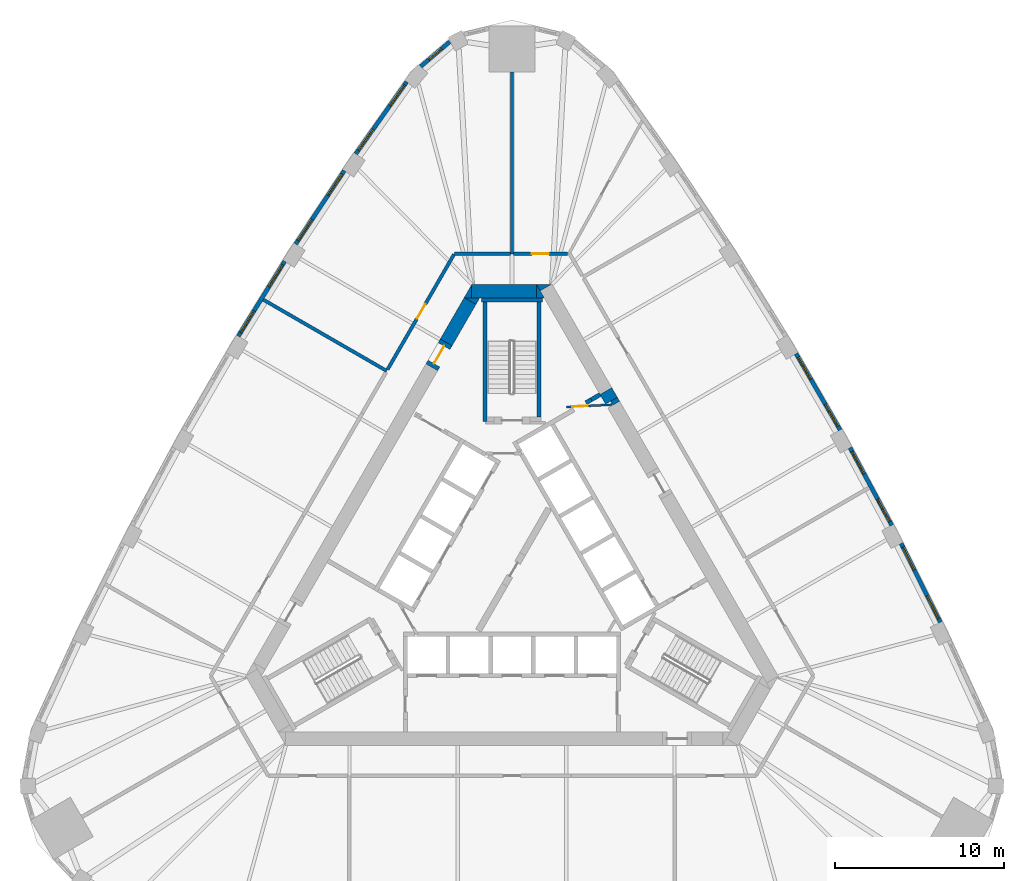
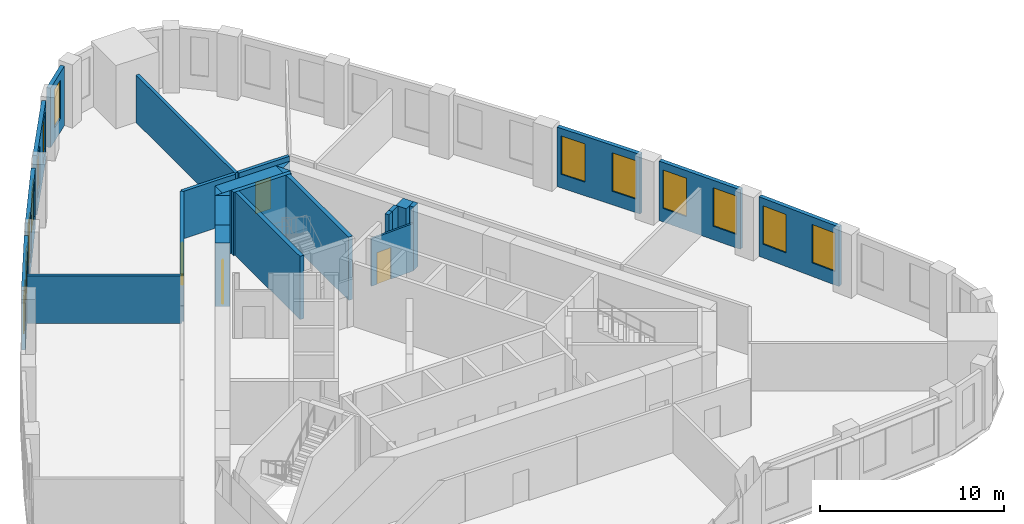
# One storey, part 7 of 9: 27 walls, 13 windows, 4 doors, 17 openings.
"""IFC4 building model written with IfcOpenShell, lengths in metres."""

from ifc_helpers import new_model, si_unit, direction, frame, frame_2d, origin, place, context, subcontext, project, spatial, polyline, rectangle, outline, extrude, material, layer, layer_set, type_object, element, fill, save


model = new_model("IFC4")

# Units and contexts
model_context = context("Model", 3, precision=1e-05, world=origin(), true_north=direction((0.0, 1.0)))
body_context = subcontext(model_context, "Body", "Model", "MODEL_VIEW")
ifc_project = project(units=[si_unit("LENGTHUNIT", "METRE"), si_unit("AREAUNIT", "SQUARE_METRE"), si_unit("VOLUMEUNIT", "CUBIC_METRE"), si_unit("PLANEANGLEUNIT", "RADIAN"), si_unit("MASSUNIT", "GRAM", prefix="KILO")], contexts=[model_context])

# Site, building, storey
site_placement = place(None, origin())
site = spatial("IfcSite", under=ifc_project, at=site_placement, CompositionType="ELEMENT")
building_placement = place(site_placement, origin())
building = spatial("IfcBuilding", under=site, at=building_placement, Name="Mestral Congress Tower", CompositionType="ELEMENT")
storey_placement = place(building_placement, frame((0.0, 0.0, 187.800048828125)))
storey = spatial("IfcBuildingStorey", under=building, at=storey_placement, Name="L44", CompositionType="ELEMENT", Elevation=187.800048828125)

# Wall, opening, door
ifc_material_1 = material(Name="Fire-rated board partition")
ifc_layer_1 = layer(ifc_material_1, 0.1201171875)
ifc_layer_set_1 = layer_set([ifc_layer_1], Name="Fire-rated board partition")
wall_type_1 = type_object("IfcWallType", Name="Core partition 150 door-wall 120", PredefinedType="PARTITIONING", material=ifc_layer_set_1)
wall_1_placement = place(storey_placement, frame((5.917236328125, 9.684326171875, 0.0), z_axis=(0.0, 0.0, 1.0), x_axis=(-0.998758194515, -0.049820366212, 0.0)))
wall_1 = element("IfcWall", 1, at=wall_1_placement, inside=storey, type_object=wall_type_1, Name="L44 door wall", PredefinedType="PARTITIONING", context=body_context, shape_type="SweptSolid", body=[
    extrude(rectangle(XDim=2.7001953125, YDim=0.119873046875, at=frame_2d((1.35009765625, 0.0))), origin(), (0.0, 0.0, 1.0), 3.14990234375),
])
opening_1_placement = place(wall_1_placement, frame((1.449951171875, 0.0, 0.0)))
opening_1 = element("IfcOpeningElement", 2, at=opening_1_placement, cuts=wall_1, Name="Opening TD2", PredefinedType="OPENING", context=body_context, shape_type="SweptSolid", body=[
    extrude(rectangle(XDim=0.89990234375, YDim=2.10009765625, at=frame_2d((0.449951171875, 1.050048828125))), frame((0.0, 0.06982421875, 0.0), z_axis=(0.0, -1.0, 0.0), x_axis=(1.0, 0.0, 0.0)), (0.0, 0.0, 1.0), 0.139892578125),
])
ifc_material_2 = material(Name="Fire-rated steel door set", Category="steel")
door_type_1 = type_object("IfcDoorType", Name="Core door SR 900x2100", OperationType="SINGLE_SWING_LEFT", PredefinedType="DOOR", material=ifc_material_2)
door_1_placement = place(opening_1_placement, origin())
door_1 = element("IfcDoor", 3, at=door_1_placement, inside=storey, type_object=door_type_1, Name="Door TD2", OperationType="SINGLE_SWING_LEFT", OverallHeight=2.10009765625, OverallWidth=0.89990234375, PredefinedType="DOOR", context=body_context, shape_type="SweptSolid", body=[
    extrude(rectangle(XDim=0.89990234375, YDim=2.10009765625, at=frame_2d((0.449951171875, 1.050048828125))), frame((0.0, 0.02490234375, 0.0), z_axis=(0.0, -1.0, 0.0), x_axis=(1.0, 0.0, 0.0)), (0.0, 0.0, 1.0), 0.050048828125),
])
fill(opening_1, door_1)

# Walls
ifc_material_3 = material(Name="Concrete C60/75", Category="concrete")
ifc_layer_2 = layer(ifc_material_3, 0.800048828125)
ifc_layer_set_2 = layer_set([ifc_layer_2], Name="Concrete C60/75")
wall_type_2 = type_object("IfcWallType", Name="Core wall RC 800", PredefinedType="SOLIDWALL", material=ifc_layer_set_2)
wall_2_placement = place(storey_placement, frame((5.87841796875, 9.918212890625, 0.0), z_axis=(0.0, 0.0, 1.0), x_axis=(-0.499893918903, 0.866086641072, 0.0)))
element("IfcWall", 4, at=wall_2_placement, inside=storey, type_object=wall_type_2, Name="L44 core wall", PredefinedType="SOLIDWALL", context=body_context, shape_type="SweptSolid", body=[
    extrude(rectangle(XDim=0.657470703125, YDim=0.800048828125, at=frame_2d((0.32861328125, 0.0))), origin(), (0.0, 0.0, 1.0), 4.199951171875),
])
placement = place(storey_placement, origin())
element("IfcWall", 5, at=placement, inside=storey, type_object=wall_type_2, Name="L44 core wall", PredefinedType="SOLIDWALL", context=body_context, shape_type="SweptSolid", body=[
    extrude(outline(polyline([(5.961181640625, 9.654052734375), (5.8271484375, 9.88623046875), (6.225830078125, 10.116455078125), (6.35986328125, 9.88427734375), (5.961181640625, 9.654052734375)])), origin(), (0.0, 0.0, 1.0), 4.199951171875),
])
element("IfcWall", 6, at=placement, inside=storey, type_object=wall_type_2, Name="L44 core wall", PredefinedType="SOLIDWALL", context=body_context, shape_type="SweptSolid", body=[
    extrude(outline(polyline([(1.443359375, 16.800048828125), (2.33935546875, 16.800048828125), (1.667236328125, 16.412109375), (1.443359375, 16.800048828125)])), origin(), (0.0, 0.0, 1.0), 4.199951171875),
])
wall_5_placement = place(storey_placement, frame((-2.37890625, 16.39990234375, 0.0), z_axis=(0.0, 0.0, 1.0), x_axis=(1.0, 0.0, 0.0)))
element("IfcWall", 7, at=wall_5_placement, inside=storey, type_object=wall_type_2, Name="L44 core wall", PredefinedType="SOLIDWALL", context=body_context, shape_type="SweptSolid", body=[
    extrude(rectangle(XDim=3.82421875, YDim=0.800048828125, at=frame_2d((1.912109375, 0.0))), origin(), (0.0, 0.0, 1.0), 4.199951171875),
])
element("IfcWall", 8, at=placement, inside=storey, type_object=wall_type_2, Name="L44 core wall", PredefinedType="SOLIDWALL", context=body_context, shape_type="SweptSolid", body=[
    extrude(outline(polyline([(1.9052734375, 16.0), (1.447265625, 16.0), (1.447265625, 16.793212890625), (1.9052734375, 16.0)])), origin(), (0.0, 0.0, 1.0), 4.199951171875),
])
element("IfcWall", 9, at=placement, inside=storey, type_object=wall_type_2, Name="L44 core wall", PredefinedType="SOLIDWALL", context=body_context, shape_type="SweptSolid", body=[
    extrude(outline(polyline([(-2.8291015625, 16.0), (-2.381103515625, 16.77587890625), (-2.381103515625, 16.0), (-2.8291015625, 16.0)])), origin(), (0.0, 0.0, 1.0), 4.199951171875),
])
wall_8_placement = place(storey_placement, frame((-2.476806640625, 15.810302734375, 0.0), z_axis=(0.0, 0.0, 1.0), x_axis=(-0.499969377405, -0.866043083026, 0.0)))
element("IfcWall", 10, at=wall_8_placement, inside=storey, type_object=wall_type_2, Name="L44 core wall", PredefinedType="SOLIDWALL", context=body_context, shape_type="SweptSolid", body=[
    extrude(rectangle(XDim=2.824462890625, YDim=0.800048828125, at=frame_2d((1.412109375, 0.0))), origin(), (0.0, 0.0, 1.0), 4.199951171875),
])
element("IfcWall", 11, at=placement, inside=storey, type_object=wall_type_2, Name="L44 core wall", PredefinedType="SOLIDWALL", context=body_context, shape_type="SweptSolid", body=[
    extrude(outline(polyline([(-1.9052734375, 16.0), (-2.12939453125, 15.612060546875), (-2.80126953125, 16.0), (-1.9052734375, 16.0)])), origin(), (0.0, 0.0, 1.0), 4.199951171875),
])

# Wall, opening, door
wall_10_placement = place(storey_placement, frame((-4.739013671875, 11.89208984375, 0.0), z_axis=(0.0, 0.0, 1.0), x_axis=(0.500062241894, 0.865989465428, 0.0)))
wall_10 = element("IfcWall", 12, at=wall_10_placement, inside=storey, type_object=wall_type_2, Name="L44 door wall", PredefinedType="SOLIDWALL", context=body_context, shape_type="SweptSolid", body=[
    extrude(rectangle(XDim=1.699951171875, YDim=0.800048828125, at=frame_2d((0.85009765625, 0.0))), origin(), (0.0, 0.0, 1.0), 4.199951171875),
])
opening_2_placement = place(wall_10_placement, frame((0.25, 0.0, 0.0)))
opening_2 = element("IfcOpeningElement", 13, at=opening_2_placement, cuts=wall_10, Name="Opening XD2", PredefinedType="OPENING", context=body_context, shape_type="SweptSolid", body=[
    extrude(rectangle(XDim=1.199951171875, YDim=2.10009765625, at=frame_2d((0.60009765625, 1.050048828125))), frame((0.0, 0.409912109375, 0.0), z_axis=(0.0, -1.0, 0.0), x_axis=(1.0, 0.0, 0.0)), (0.0, 0.0, 1.0), 0.820068359375),
])
door_type_2 = type_object("IfcDoorType", Name="Core door XD 1200x2100", OperationType="SINGLE_SWING_LEFT", PredefinedType="DOOR", material=ifc_material_2)
door_2_placement = place(opening_2_placement, origin())
door_2 = element("IfcDoor", 14, at=door_2_placement, inside=storey, type_object=door_type_2, Name="Door XD2", OperationType="SINGLE_SWING_LEFT", OverallHeight=2.10009765625, OverallWidth=1.199951171875, PredefinedType="DOOR", context=body_context, shape_type="SweptSolid", body=[
    extrude(rectangle(XDim=1.199951171875, YDim=2.10009765625, at=frame_2d((0.60009765625, 1.050048828125))), frame((0.0, 0.02490234375, 0.0), z_axis=(0.0, -1.0, 0.0), x_axis=(1.0, 0.0, 0.0)), (0.0, 0.0, 1.0), 0.050048828125),
])
fill(opening_2, door_2)

# Wall, openings, windows
ifc_material_4 = material(Name="Precast concrete C40/50 with limestone facing", Category="masonry")
ifc_layer_3 = layer(ifc_material_4, 0.239990234375)
ifc_layer_set_3 = layer_set([ifc_layer_3], Name="Precast concrete C40/50 with limestone facing")
wall_type_3 = type_object("IfcWallType", Name="Facade stone wall 240", PredefinedType="SOLIDWALL", material=ifc_layer_set_3)
wall_11_placement = place(storey_placement, frame((25.31591796875, -3.17138671875, 0.0), z_axis=(0.0, 0.0, 1.0), x_axis=(-0.446256171312, 0.8949052629, 0.0)))
wall_11 = element("IfcWall", 15, at=wall_11_placement, inside=storey, type_object=wall_type_3, Name="Facade wall F1-01", PredefinedType="SOLIDWALL", context=body_context, shape_type="SweptSolid", body=[
    extrude(rectangle(XDim=5.203369140625, YDim=0.239990234375, at=frame_2d((2.6015625, 0.0))), origin(), (0.0, 0.0, 1.0), 3.949951171875),
])
opening_3_placement = place(wall_11_placement, frame((0.248291015625, 0.0, 0.89990234375)))
opening_3 = element("IfcOpeningElement", 16, at=opening_3_placement, cuts=wall_11, Name="Opening W4", PredefinedType="OPENING", context=body_context, shape_type="SweptSolid", body=[
    extrude(rectangle(XDim=1.5, YDim=2.550048828125, at=frame_2d((0.75, 1.27490234375))), frame((0.0, 0.1298828125, 0.0), z_axis=(0.0, -1.0, 0.0), x_axis=(1.0, 0.0, 0.0)), (0.0, 0.0, 1.0), 0.260009765625),
])
opening_4_placement = place(wall_11_placement, frame((3.455078125, 0.0, 0.89990234375)))
opening_4 = element("IfcOpeningElement", 17, at=opening_4_placement, cuts=wall_11, Name="Opening W4", PredefinedType="OPENING", context=body_context, shape_type="SweptSolid", body=[
    extrude(rectangle(XDim=1.5, YDim=2.550048828125, at=frame_2d((0.75, 1.27490234375))), frame((0.0, 0.1298828125, 0.0), z_axis=(0.0, -1.0, 0.0), x_axis=(1.0, 0.0, 0.0)), (0.0, 0.0, 1.0), 0.260009765625),
])
ifc_material_5 = material(Name="Clear low-emissivity double glazing", Category="glass")
window_type_1 = type_object("IfcWindowType", Name="Facade punched window 1500 x 2550 sill 900", PartitioningType="SINGLE_PANEL", PredefinedType="WINDOW", material=ifc_material_5)
window_1_placement = place(opening_3_placement, origin())
window_1 = element("IfcWindow", 18, at=window_1_placement, inside=storey, type_object=window_type_1, Name="Window F1-01a", OverallHeight=2.550048828125, OverallWidth=1.5, PartitioningType="SINGLE_PANEL", PredefinedType="WINDOW", context=body_context, shape_type="SweptSolid", body=[
    extrude(rectangle(XDim=1.5, YDim=2.550048828125, at=frame_2d((0.75, 1.27490234375))), frame((0.0, 0.0400390625, 0.0), z_axis=(0.0, -1.0, 0.0), x_axis=(1.0, 0.0, 0.0)), (0.0, 0.0, 1.0), 0.06005859375),
])
fill(opening_3, window_1)
window_2_placement = place(opening_4_placement, origin())
window_2 = element("IfcWindow", 19, at=window_2_placement, inside=storey, type_object=window_type_1, Name="Window F1-01b", OverallHeight=2.550048828125, OverallWidth=1.5, PartitioningType="SINGLE_PANEL", PredefinedType="WINDOW", context=body_context, shape_type="SweptSolid", body=[
    extrude(rectangle(XDim=1.5, YDim=2.550048828125, at=frame_2d((0.75, 1.27490234375))), frame((0.0, 0.0400390625, 0.0), z_axis=(0.0, -1.0, 0.0), x_axis=(1.0, 0.0, 0.0)), (0.0, 0.0, 1.0), 0.06005859375),
])
fill(opening_4, window_2)

wall_12_placement = place(storey_placement, frame((22.43994140625, 2.554931640625, 0.0), z_axis=(0.0, 0.0, 1.0), x_axis=(-0.473349833294, 0.880874528704, 0.0)))
wall_12 = element("IfcWall", 20, at=wall_12_placement, inside=storey, type_object=wall_type_3, Name="Facade wall F1-02", PredefinedType="SOLIDWALL", context=body_context, shape_type="SweptSolid", body=[
    extrude(rectangle(XDim=5.20361328125, YDim=0.239990234375, at=frame_2d((2.601806640625, 0.0))), origin(), (0.0, 0.0, 1.0), 3.949951171875),
])
opening_5_placement = place(wall_12_placement, frame((0.248291015625, 0.0, 0.89990234375)))
opening_5 = element("IfcOpeningElement", 21, at=opening_5_placement, cuts=wall_12, Name="Opening W4", PredefinedType="OPENING", context=body_context, shape_type="SweptSolid", body=[
    extrude(rectangle(XDim=1.5, YDim=2.550048828125, at=frame_2d((0.75, 1.27490234375))), frame((0.0, 0.1298828125, 0.0), z_axis=(0.0, -1.0, 0.0), x_axis=(1.0, 0.0, 0.0)), (0.0, 0.0, 1.0), 0.260009765625),
])
opening_6_placement = place(wall_12_placement, frame((3.455078125, 0.0, 0.89990234375)))
opening_6 = element("IfcOpeningElement", 22, at=opening_6_placement, cuts=wall_12, Name="Opening W4", PredefinedType="OPENING", context=body_context, shape_type="SweptSolid", body=[
    extrude(rectangle(XDim=1.5, YDim=2.550048828125, at=frame_2d((0.75, 1.27490234375))), frame((0.0, 0.1298828125, 0.0), z_axis=(0.0, -1.0, 0.0), x_axis=(1.0, 0.0, 0.0)), (0.0, 0.0, 1.0), 0.260009765625),
])
window_3_placement = place(opening_5_placement, origin())
window_3 = element("IfcWindow", 23, at=window_3_placement, inside=storey, type_object=window_type_1, Name="Window F1-02a", OverallHeight=2.550048828125, OverallWidth=1.5, PartitioningType="SINGLE_PANEL", PredefinedType="WINDOW", context=body_context, shape_type="SweptSolid", body=[
    extrude(rectangle(XDim=1.5, YDim=2.550048828125, at=frame_2d((0.75, 1.27490234375))), frame((0.0, 0.0400390625, 0.0), z_axis=(0.0, -1.0, 0.0), x_axis=(1.0, 0.0, 0.0)), (0.0, 0.0, 1.0), 0.06005859375),
])
fill(opening_5, window_3)
window_4_placement = place(opening_6_placement, origin())
window_4 = element("IfcWindow", 24, at=window_4_placement, inside=storey, type_object=window_type_1, Name="Window F1-02b", OverallHeight=2.550048828125, OverallWidth=1.5, PartitioningType="SINGLE_PANEL", PredefinedType="WINDOW", context=body_context, shape_type="SweptSolid", body=[
    extrude(rectangle(XDim=1.5, YDim=2.550048828125, at=frame_2d((0.75, 1.27490234375))), frame((0.0, 0.0400390625, 0.0), z_axis=(0.0, -1.0, 0.0), x_axis=(1.0, 0.0, 0.0)), (0.0, 0.0, 1.0), 0.06005859375),
])
fill(opening_6, window_4)

wall_13_placement = place(storey_placement, frame((19.390625, 8.19091796875, 0.0), z_axis=(0.0, 0.0, 1.0), x_axis=(-0.500009456303, 0.866019944116, 0.0)))
wall_13 = element("IfcWall", 25, at=wall_13_placement, inside=storey, type_object=wall_type_3, Name="Facade wall F1-03", PredefinedType="SOLIDWALL", context=body_context, shape_type="SweptSolid", body=[
    extrude(rectangle(XDim=5.20361328125, YDim=0.239990234375, at=frame_2d((2.601806640625, 0.0))), origin(), (0.0, 0.0, 1.0), 3.949951171875),
])
opening_7_placement = place(wall_13_placement, frame((0.248291015625, 0.0, 0.89990234375)))
opening_7 = element("IfcOpeningElement", 26, at=opening_7_placement, cuts=wall_13, Name="Opening W4", PredefinedType="OPENING", context=body_context, shape_type="SweptSolid", body=[
    extrude(rectangle(XDim=1.5, YDim=2.550048828125, at=frame_2d((0.75, 1.27490234375))), frame((0.0, 0.1298828125, 0.0), z_axis=(0.0, -1.0, 0.0), x_axis=(1.0, 0.0, 0.0)), (0.0, 0.0, 1.0), 0.260009765625),
])
opening_8_placement = place(wall_13_placement, frame((3.455078125, 0.0, 0.89990234375)))
opening_8 = element("IfcOpeningElement", 27, at=opening_8_placement, cuts=wall_13, Name="Opening W4", PredefinedType="OPENING", context=body_context, shape_type="SweptSolid", body=[
    extrude(rectangle(XDim=1.5, YDim=2.550048828125, at=frame_2d((0.75, 1.27490234375))), frame((0.0, 0.1298828125, 0.0), z_axis=(0.0, -1.0, 0.0), x_axis=(1.0, 0.0, 0.0)), (0.0, 0.0, 1.0), 0.260009765625),
])
window_5_placement = place(opening_7_placement, origin())
window_5 = element("IfcWindow", 28, at=window_5_placement, inside=storey, type_object=window_type_1, Name="Window F1-03a", OverallHeight=2.550048828125, OverallWidth=1.5, PartitioningType="SINGLE_PANEL", PredefinedType="WINDOW", context=body_context, shape_type="SweptSolid", body=[
    extrude(rectangle(XDim=1.5, YDim=2.550048828125, at=frame_2d((0.75, 1.27490234375))), frame((0.0, 0.0400390625, 0.0), z_axis=(0.0, -1.0, 0.0), x_axis=(1.0, 0.0, 0.0)), (0.0, 0.0, 1.0), 0.06005859375),
])
fill(opening_7, window_5)
window_6_placement = place(opening_8_placement, origin())
window_6 = element("IfcWindow", 29, at=window_6_placement, inside=storey, type_object=window_type_1, Name="Window F1-03b", OverallHeight=2.550048828125, OverallWidth=1.5, PartitioningType="SINGLE_PANEL", PredefinedType="WINDOW", context=body_context, shape_type="SweptSolid", body=[
    extrude(rectangle(XDim=1.5, YDim=2.550048828125, at=frame_2d((0.75, 1.27490234375))), frame((0.0, 0.0400390625, 0.0), z_axis=(0.0, -1.0, 0.0), x_axis=(1.0, 0.0, 0.0)), (0.0, 0.0, 1.0), 0.06005859375),
])
fill(opening_8, window_6)

# Wall, opening, window
wall_14_placement = place(storey_placement, frame((-3.67822265625, 31.130859375, 0.0), z_axis=(0.0, 0.0, 1.0), x_axis=(-0.761419744247, -0.648259186645, 0.0)))
wall_14 = element("IfcWall", 30, at=wall_14_placement, inside=storey, type_object=wall_type_3, Name="Facade wall K1-3", PredefinedType="SOLIDWALL", context=body_context, shape_type="SweptSolid", body=[
    extrude(rectangle(XDim=2.250244140625, YDim=0.239990234375, at=frame_2d((1.125, 0.0))), origin(), (0.0, 0.0, 1.0), 3.949951171875),
])
opening_9_placement = place(wall_14_placement, frame((0.625244140625, 0.0, 0.89990234375)))
opening_9 = element("IfcOpeningElement", 31, at=opening_9_placement, cuts=wall_14, Name="Opening W5", PredefinedType="OPENING", context=body_context, shape_type="SweptSolid", body=[
    extrude(rectangle(XDim=1.0, YDim=2.550048828125, at=frame_2d((0.5, 1.27490234375))), frame((0.0, 0.1298828125, 0.0), z_axis=(0.0, -1.0, 0.0), x_axis=(1.0, 0.0, 0.0)), (0.0, 0.0, 1.0), 0.260009765625),
])
window_type_2 = type_object("IfcWindowType", Name="Facade punched window 1000 x 2550 sill 900", PartitioningType="SINGLE_PANEL", PredefinedType="WINDOW", material=ifc_material_5)
window_7_placement = place(opening_9_placement, origin())
window_7 = element("IfcWindow", 32, at=window_7_placement, inside=storey, type_object=window_type_2, Name="Window K1-3", OverallHeight=2.550048828125, OverallWidth=1.0, PartitioningType="SINGLE_PANEL", PredefinedType="WINDOW", context=body_context, shape_type="SweptSolid", body=[
    extrude(rectangle(XDim=1.0, YDim=2.550048828125, at=frame_2d((0.5, 1.27490234375))), frame((0.0, 0.0400390625, 0.0), z_axis=(0.0, -1.0, 0.0), x_axis=(1.0, 0.0, 0.0)), (0.0, 0.0, 1.0), 0.06005859375),
])
fill(opening_9, window_7)

# Wall, openings, windows
wall_15_placement = place(storey_placement, frame((-6.22265625, 28.76171875, 0.0), z_axis=(0.0, 0.0, 1.0), x_axis=(-0.577115207679, -0.816662743772, 0.0)))
wall_15 = element("IfcWall", 33, at=wall_15_placement, inside=storey, type_object=wall_type_3, Name="Facade wall F2-00", PredefinedType="SOLIDWALL", context=body_context, shape_type="SweptSolid", body=[
    extrude(rectangle(XDim=5.213134765625, YDim=0.239990234375, at=frame_2d((2.6064453125, 0.0))), origin(), (0.0, 0.0, 1.0), 3.949951171875),
])
opening_10_placement = place(wall_15_placement, frame((0.220703125, 0.0, 0.89990234375)))
opening_10 = element("IfcOpeningElement", 34, at=opening_10_placement, cuts=wall_15, Name="Opening W4", PredefinedType="OPENING", context=body_context, shape_type="SweptSolid", body=[
    extrude(rectangle(XDim=1.5, YDim=2.550048828125, at=frame_2d((0.75, 1.27490234375))), frame((0.0, 0.1298828125, 0.0), z_axis=(0.0, -1.0, 0.0), x_axis=(1.0, 0.0, 0.0)), (0.0, 0.0, 1.0), 0.260009765625),
])
opening_11_placement = place(wall_15_placement, frame((3.452392578125, 0.0, 0.89990234375)))
opening_11 = element("IfcOpeningElement", 35, at=opening_11_placement, cuts=wall_15, Name="Opening W4", PredefinedType="OPENING", context=body_context, shape_type="SweptSolid", body=[
    extrude(rectangle(XDim=1.5, YDim=2.550048828125, at=frame_2d((0.75, 1.27490234375))), frame((0.0, 0.1298828125, 0.0), z_axis=(0.0, -1.0, 0.0), x_axis=(1.0, 0.0, 0.0)), (0.0, 0.0, 1.0), 0.260009765625),
])
window_8_placement = place(opening_10_placement, origin())
window_8 = element("IfcWindow", 36, at=window_8_placement, inside=storey, type_object=window_type_1, Name="Window F2-00a", OverallHeight=2.550048828125, OverallWidth=1.5, PartitioningType="SINGLE_PANEL", PredefinedType="WINDOW", context=body_context, shape_type="SweptSolid", body=[
    extrude(rectangle(XDim=1.5, YDim=2.550048828125, at=frame_2d((0.75, 1.27490234375))), frame((0.0, 0.0400390625, 0.0), z_axis=(0.0, -1.0, 0.0), x_axis=(1.0, 0.0, 0.0)), (0.0, 0.0, 1.0), 0.06005859375),
])
fill(opening_10, window_8)
window_9_placement = place(opening_11_placement, origin())
window_9 = element("IfcWindow", 37, at=window_9_placement, inside=storey, type_object=window_type_1, Name="Window F2-00b", OverallHeight=2.550048828125, OverallWidth=1.5, PartitioningType="SINGLE_PANEL", PredefinedType="WINDOW", context=body_context, shape_type="SweptSolid", body=[
    extrude(rectangle(XDim=1.5, YDim=2.550048828125, at=frame_2d((0.75, 1.27490234375))), frame((0.0, 0.0400390625, 0.0), z_axis=(0.0, -1.0, 0.0), x_axis=(1.0, 0.0, 0.0)), (0.0, 0.0, 1.0), 0.06005859375),
])
fill(opening_11, window_9)

wall_16_placement = place(storey_placement, frame((-9.911376953125, 23.510009765625, 0.0), z_axis=(0.0, 0.0, 1.0), x_axis=(-0.551892811511, -0.833915058386, 0.0)))
wall_16 = element("IfcWall", 38, at=wall_16_placement, inside=storey, type_object=wall_type_3, Name="Facade wall F2-01", PredefinedType="SOLIDWALL", context=body_context, shape_type="SweptSolid", body=[
    extrude(rectangle(XDim=5.20361328125, YDim=0.239990234375, at=frame_2d((2.601806640625, 0.0))), origin(), (0.0, 0.0, 1.0), 3.949951171875),
])
opening_12_placement = place(wall_16_placement, frame((0.248291015625, 0.0, 0.89990234375)))
opening_12 = element("IfcOpeningElement", 39, at=opening_12_placement, cuts=wall_16, Name="Opening W4", PredefinedType="OPENING", context=body_context, shape_type="SweptSolid", body=[
    extrude(rectangle(XDim=1.5, YDim=2.550048828125, at=frame_2d((0.75, 1.27490234375))), frame((0.0, 0.1298828125, 0.0), z_axis=(0.0, -1.0, 0.0), x_axis=(1.0, 0.0, 0.0)), (0.0, 0.0, 1.0), 0.260009765625),
])
opening_13_placement = place(wall_16_placement, frame((3.455078125, 0.0, 0.89990234375)))
opening_13 = element("IfcOpeningElement", 40, at=opening_13_placement, cuts=wall_16, Name="Opening W4", PredefinedType="OPENING", context=body_context, shape_type="SweptSolid", body=[
    extrude(rectangle(XDim=1.5, YDim=2.550048828125, at=frame_2d((0.75, 1.27490234375))), frame((0.0, 0.1298828125, 0.0), z_axis=(0.0, -1.0, 0.0), x_axis=(1.0, 0.0, 0.0)), (0.0, 0.0, 1.0), 0.260009765625),
])
window_10_placement = place(opening_12_placement, origin())
window_10 = element("IfcWindow", 41, at=window_10_placement, inside=storey, type_object=window_type_1, Name="Window F2-01a", OverallHeight=2.550048828125, OverallWidth=1.5, PartitioningType="SINGLE_PANEL", PredefinedType="WINDOW", context=body_context, shape_type="SweptSolid", body=[
    extrude(rectangle(XDim=1.5, YDim=2.550048828125, at=frame_2d((0.75, 1.27490234375))), frame((0.0, 0.0400390625, 0.0), z_axis=(0.0, -1.0, 0.0), x_axis=(1.0, 0.0, 0.0)), (0.0, 0.0, 1.0), 0.06005859375),
])
fill(opening_12, window_10)
window_11_placement = place(opening_13_placement, origin())
window_11 = element("IfcWindow", 42, at=window_11_placement, inside=storey, type_object=window_type_1, Name="Window F2-01b", OverallHeight=2.550048828125, OverallWidth=1.5, PartitioningType="SINGLE_PANEL", PredefinedType="WINDOW", context=body_context, shape_type="SweptSolid", body=[
    extrude(rectangle(XDim=1.5, YDim=2.550048828125, at=frame_2d((0.75, 1.27490234375))), frame((0.0, 0.0400390625, 0.0), z_axis=(0.0, -1.0, 0.0), x_axis=(1.0, 0.0, 0.0)), (0.0, 0.0, 1.0), 0.06005859375),
])
fill(opening_13, window_11)

wall_17_placement = place(storey_placement, frame((-13.4326171875, 18.156005859375, 0.0), z_axis=(0.0, 0.0, 1.0), x_axis=(-0.526197926587, -0.850362124072, 0.0)))
wall_17 = element("IfcWall", 43, at=wall_17_placement, inside=storey, type_object=wall_type_3, Name="Facade wall F2-02", PredefinedType="SOLIDWALL", context=body_context, shape_type="SweptSolid", body=[
    extrude(rectangle(XDim=5.203369140625, YDim=0.239990234375, at=frame_2d((2.6015625, 0.0))), origin(), (0.0, 0.0, 1.0), 3.949951171875),
])
opening_14_placement = place(wall_17_placement, frame((0.248291015625, 0.0, 0.89990234375)))
opening_14 = element("IfcOpeningElement", 44, at=opening_14_placement, cuts=wall_17, Name="Opening W4", PredefinedType="OPENING", context=body_context, shape_type="SweptSolid", body=[
    extrude(rectangle(XDim=1.5, YDim=2.550048828125, at=frame_2d((0.75, 1.27490234375))), frame((0.0, 0.1298828125, 0.0), z_axis=(0.0, -1.0, 0.0), x_axis=(1.0, 0.0, 0.0)), (0.0, 0.0, 1.0), 0.260009765625),
])
opening_15_placement = place(wall_17_placement, frame((3.455078125, 0.0, 0.89990234375)))
opening_15 = element("IfcOpeningElement", 45, at=opening_15_placement, cuts=wall_17, Name="Opening W4", PredefinedType="OPENING", context=body_context, shape_type="SweptSolid", body=[
    extrude(rectangle(XDim=1.5, YDim=2.550048828125, at=frame_2d((0.75, 1.27490234375))), frame((0.0, 0.1298828125, 0.0), z_axis=(0.0, -1.0, 0.0), x_axis=(1.0, 0.0, 0.0)), (0.0, 0.0, 1.0), 0.260009765625),
])
window_12_placement = place(opening_14_placement, origin())
window_12 = element("IfcWindow", 46, at=window_12_placement, inside=storey, type_object=window_type_1, Name="Window F2-02a", OverallHeight=2.550048828125, OverallWidth=1.5, PartitioningType="SINGLE_PANEL", PredefinedType="WINDOW", context=body_context, shape_type="SweptSolid", body=[
    extrude(rectangle(XDim=1.5, YDim=2.550048828125, at=frame_2d((0.75, 1.27490234375))), frame((0.0, 0.0400390625, 0.0), z_axis=(0.0, -1.0, 0.0), x_axis=(1.0, 0.0, 0.0)), (0.0, 0.0, 1.0), 0.06005859375),
])
fill(opening_14, window_12)
window_13_placement = place(opening_15_placement, origin())
window_13 = element("IfcWindow", 47, at=window_13_placement, inside=storey, type_object=window_type_1, Name="Window F2-02b", OverallHeight=2.550048828125, OverallWidth=1.5, PartitioningType="SINGLE_PANEL", PredefinedType="WINDOW", context=body_context, shape_type="SweptSolid", body=[
    extrude(rectangle(XDim=1.5, YDim=2.550048828125, at=frame_2d((0.75, 1.27490234375))), frame((0.0, 0.0400390625, 0.0), z_axis=(0.0, -1.0, 0.0), x_axis=(1.0, 0.0, 0.0)), (0.0, 0.0, 1.0), 0.06005859375),
])
fill(opening_15, window_13)

# Wall
ifc_material_6 = material(Name="Dense masonry wall, plastered", Category="masonry")
ifc_layer_4 = layer(ifc_material_6, 0.199951171875)
ifc_layer_set_4 = layer_set([ifc_layer_4], Name="Dense masonry wall, plastered")
wall_type_4 = type_object("IfcWallType", Name="Office tenancy wall 200", PredefinedType="PARTITIONING", material=ifc_layer_set_4)
wall_18_placement = place(storey_placement, frame((0.0, 18.60009765625, 0.0), z_axis=(0.0, 0.0, 1.0), x_axis=(0.0, 1.0, 0.0)))
element("IfcWall", 48, at=wall_18_placement, inside=storey, type_object=wall_type_4, Name="Tenancy wall", PredefinedType="PARTITIONING", context=body_context, shape_type="SweptSolid", body=[
    extrude(rectangle(XDim=10.754150390625, YDim=0.199951171875, at=frame_2d((5.376953125, 0.0))), origin(), (0.0, 0.0, 1.0), 3.14990234375),
])

# Wall, opening, door
wall_19_placement = place(storey_placement, frame((3.2744140625, 18.60009765625, 0.0), z_axis=(0.0, 0.0, 1.0), x_axis=(-1.0, 0.0, 0.0)))
wall_19 = element("IfcWall", 49, at=wall_19_placement, inside=storey, type_object=wall_type_4, Name="Tenancy wall", PredefinedType="PARTITIONING", context=body_context, shape_type="SweptSolid", body=[
    extrude(rectangle(XDim=3.17431640625, YDim=0.199951171875, at=frame_2d((1.587158203125, 0.0))), origin(), (0.0, 0.0, 1.0), 3.14990234375),
])
opening_16_placement = place(wall_19_placement, frame((1.10009765625, 0.0, 0.0)))
opening_16 = element("IfcOpeningElement", 50, at=opening_16_placement, cuts=wall_19, Name="Opening O04-006", PredefinedType="OPENING", context=body_context, shape_type="SweptSolid", body=[
    extrude(rectangle(XDim=1.0, YDim=2.10009765625, at=frame_2d((0.5, 1.050048828125))), frame((0.0, 0.10986328125, 0.0), z_axis=(0.0, -1.0, 0.0), x_axis=(1.0, 0.0, 0.0)), (0.0, 0.0, 1.0), 0.219970703125),
])
ifc_material_7 = material(Name="Fire-rated timber door set", Category="wood")
door_type_3 = type_object("IfcDoorType", Name="Office tenancy entrance door 1000x2100", OperationType="SINGLE_SWING_LEFT", PredefinedType="DOOR", material=ifc_material_7)
door_3_placement = place(opening_16_placement, origin())
door_3 = element("IfcDoor", 51, at=door_3_placement, inside=storey, type_object=door_type_3, Name="Door O04-006", OperationType="SINGLE_SWING_RIGHT", OverallHeight=2.10009765625, OverallWidth=1.0, PredefinedType="DOOR", context=body_context, shape_type="SweptSolid", body=[
    extrude(rectangle(XDim=1.0, YDim=2.10009765625, at=frame_2d((0.5, 1.050048828125))), frame((0.0, 0.02490234375, 0.0), z_axis=(0.0, -1.0, 0.0), x_axis=(1.0, 0.0, 0.0)), (0.0, 0.0, 1.0), 0.050048828125),
])
fill(opening_16, door_3)

# Walls
wall_20_placement = place(storey_placement, frame((-7.40283203125, 11.677978515625, 0.0), z_axis=(0.0, 0.0, 1.0), x_axis=(-0.866029143232, 0.499993523031, 0.0)))
element("IfcWall", 52, at=wall_20_placement, inside=storey, type_object=wall_type_4, Name="Tenancy wall", PredefinedType="PARTITIONING", context=body_context, shape_type="SweptSolid", body=[
    extrude(rectangle(XDim=8.419921875, YDim=0.199951171875, at=frame_2d((4.2099609375, 0.0))), origin(), (0.0, 0.0, 1.0), 3.14990234375),
])
wall_21_placement = place(storey_placement, frame((-0.10009765625, 18.60009765625, 0.0), z_axis=(0.0, 0.0, 1.0), x_axis=(-1.0, 0.0, 0.0)))
element("IfcWall", 53, at=wall_21_placement, inside=storey, type_object=wall_type_4, Name="Tenancy wall", PredefinedType="PARTITIONING", context=body_context, shape_type="SweptSolid", body=[
    extrude(rectangle(XDim=3.306396484375, YDim=0.199951171875, at=frame_2d((1.6533203125, 0.0))), origin(), (0.0, 0.0, 1.0), 3.14990234375),
])

# Wall, opening, door
wall_22_placement = place(storey_placement, frame((-3.42138671875, 18.573974609375, 0.0), z_axis=(0.0, 0.0, 1.0), x_axis=(-0.499989434416, -0.866031503741, 0.0)))
wall_22 = element("IfcWall", 54, at=wall_22_placement, inside=storey, type_object=wall_type_4, Name="Tenancy wall", PredefinedType="PARTITIONING", context=body_context, shape_type="SweptSolid", body=[
    extrude(rectangle(XDim=7.863037109375, YDim=0.199951171875, at=frame_2d((3.931640625, 0.0))), origin(), (0.0, 0.0, 1.0), 3.14990234375),
])
opening_17_placement = place(wall_22_placement, frame((3.39990234375, 0.0, 0.0)))
opening_17 = element("IfcOpeningElement", 55, at=opening_17_placement, cuts=wall_22, Name="Opening O04-007", PredefinedType="OPENING", context=body_context, shape_type="SweptSolid", body=[
    extrude(rectangle(XDim=1.0, YDim=2.10009765625, at=frame_2d((0.5, 1.050048828125))), frame((0.0, 0.10986328125, 0.0), z_axis=(0.0, -1.0, 0.0), x_axis=(1.0, 0.0, 0.0)), (0.0, 0.0, 1.0), 0.219970703125),
])
door_4_placement = place(opening_17_placement, origin())
door_4 = element("IfcDoor", 56, at=door_4_placement, inside=storey, type_object=door_type_3, Name="Door O04-007", OperationType="SINGLE_SWING_LEFT", OverallHeight=2.10009765625, OverallWidth=1.0, PredefinedType="DOOR", context=body_context, shape_type="SweptSolid", body=[
    extrude(rectangle(XDim=1.0, YDim=2.10009765625, at=frame_2d((0.5, 1.050048828125))), frame((0.0, 0.02490234375, 0.0), z_axis=(0.0, -1.0, 0.0), x_axis=(1.0, 0.0, 0.0)), (0.0, 0.0, 1.0), 0.050048828125),
])
fill(opening_17, door_4)

# Walls
ifc_layer_5 = layer(ifc_material_3, 0.25)
ifc_layer_set_5 = layer_set([ifc_layer_5], Name="Concrete C60/75")
wall_type_5 = type_object("IfcWallType", Name="Shaft wall RC 250", PredefinedType="SOLIDWALL", material=ifc_layer_set_5)
wall_23_placement = place(storey_placement, frame((4.6875, 9.98095703125, 0.0), z_axis=(0.0, 0.0, 1.0), x_axis=(-0.865974312977, -0.500088481434, 0.0)))
element("IfcWall", 57, at=wall_23_placement, inside=storey, type_object=wall_type_5, Name="L44 core wall", PredefinedType="SOLIDWALL", context=body_context, shape_type="SweptSolid", body=[
    extrude(rectangle(XDim=0.36572265625, YDim=0.25, at=frame_2d((0.182861328125, 0.0))), origin(), (0.0, 0.0, 1.0), 4.199951171875),
])
wall_24_placement = place(storey_placement, frame((4.689208984375, 9.98193359375, 0.0), z_axis=(0.0, 0.0, 1.0), x_axis=(0.865947592822, 0.500134748329, 0.0)))
element("IfcWall", 58, at=wall_24_placement, inside=storey, type_object=wall_type_5, Name="L44 core wall", PredefinedType="SOLIDWALL", context=body_context, shape_type="SweptSolid", body=[
    extrude(rectangle(XDim=0.597900390625, YDim=0.25, at=frame_2d((0.298828125, 0.0))), origin(), (0.0, 0.0, 1.0), 4.199951171875),
])
ifc_layer_6 = layer(ifc_material_3, 0.25)
ifc_layer_set_6 = layer_set([ifc_layer_6], Name="Concrete C60/75")
wall_type_6 = type_object("IfcWallType", Name="Stair wall RC 250", PredefinedType="SOLIDWALL", material=ifc_layer_set_6)
wall_25_placement = place(storey_placement, frame((-1.81689453125, 15.875, 0.0), z_axis=(0.0, 0.0, 1.0), x_axis=(1.0, 0.0, 0.0)))
element("IfcWall", 59, at=wall_25_placement, inside=storey, type_object=wall_type_6, Name="L44 core wall", PredefinedType="SOLIDWALL", context=body_context, shape_type="SweptSolid", body=[
    extrude(rectangle(XDim=3.6337890625, YDim=0.25, at=frame_2d((1.81689453125, 0.0))), origin(), (0.0, 0.0, 1.0), 4.199951171875),
])
wall_26_placement = place(storey_placement, frame((1.60009765625, 8.949951171875, 0.0), z_axis=(0.0, 0.0, 1.0), x_axis=(0.0, 1.0, 0.0)))
element("IfcWall", 60, at=wall_26_placement, inside=storey, type_object=wall_type_6, Name="L44 core wall", PredefinedType="SOLIDWALL", context=body_context, shape_type="SweptSolid", body=[
    extrude(rectangle(XDim=6.800048828125, YDim=0.25, at=frame_2d((3.39990234375, 0.0))), origin(), (0.0, 0.0, 1.0), 4.199951171875),
])
wall_27_placement = place(storey_placement, frame((-1.60009765625, 8.699951171875, 0.0), z_axis=(0.0, 0.0, 1.0), x_axis=(0.0, 1.0, 0.0)))
element("IfcWall", 61, at=wall_27_placement, inside=storey, type_object=wall_type_6, Name="L44 core wall", PredefinedType="SOLIDWALL", context=body_context, shape_type="SweptSolid", body=[
    extrude(rectangle(XDim=7.050048828125, YDim=0.25, at=frame_2d((3.52490234375, 0.0))), origin(), (0.0, 0.0, 1.0), 4.199951171875),
])

save(model, "model.ifc")
